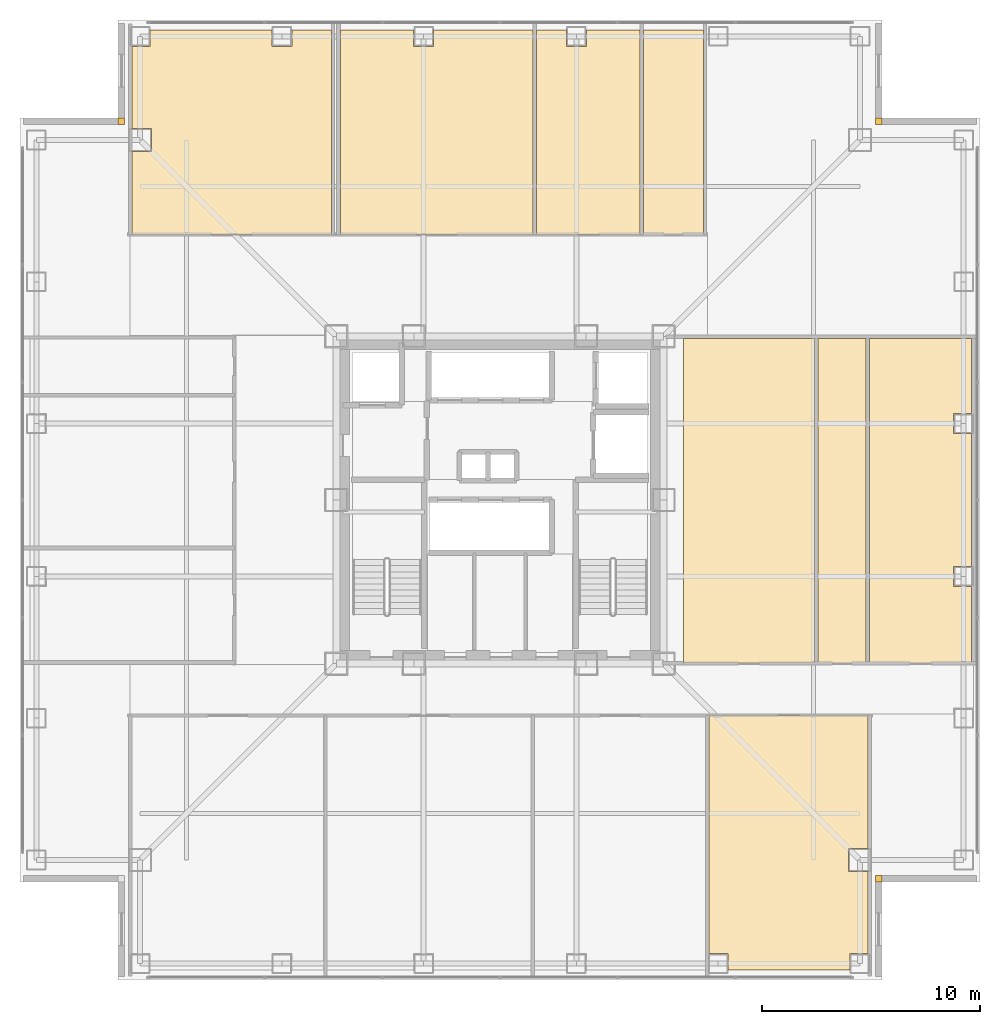
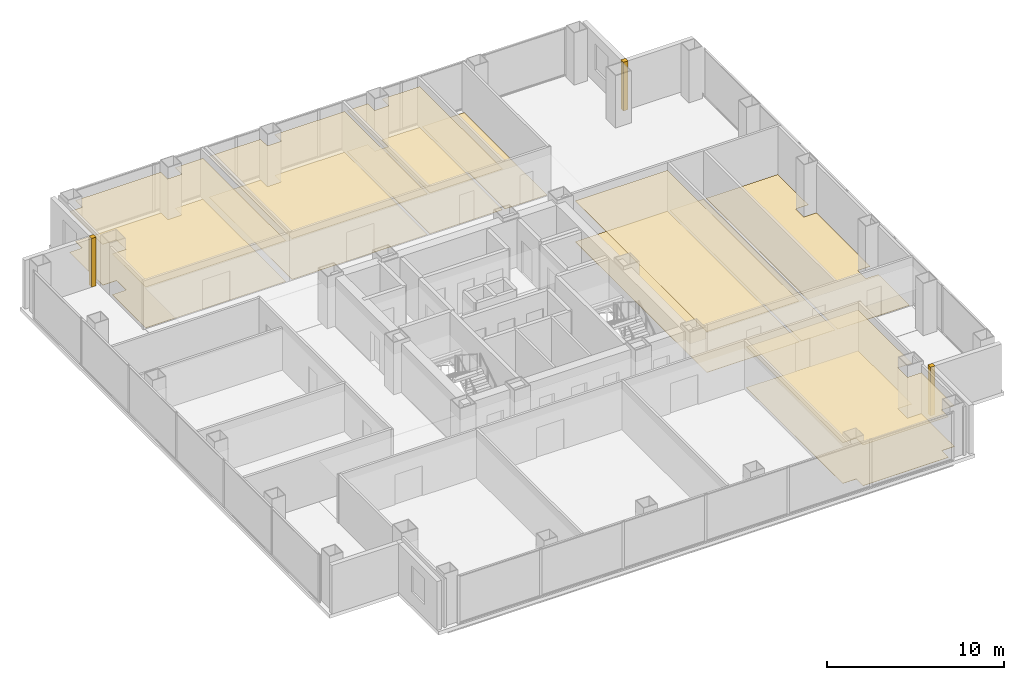
# One storey, part 17 of 17: 16 coverings.
"""IFC4 building model written with IfcOpenShell, lengths in metres."""

from ifc_helpers import new_model, si_unit, direction, frame, origin, place, context, subcontext, project, spatial, polyline, outline, extrude, material, layer, layer_set, type_object, element, save


model = new_model("IFC4")

# Units and contexts
model_context = context("Model", 3, precision=1e-05, world=origin(), true_north=direction((0.0, 1.0)))
body_context = subcontext(model_context, "Body", "Model", "MODEL_VIEW")
ifc_project = project(units=[si_unit("LENGTHUNIT", "METRE"), si_unit("AREAUNIT", "SQUARE_METRE"), si_unit("VOLUMEUNIT", "CUBIC_METRE"), si_unit("PLANEANGLEUNIT", "RADIAN"), si_unit("MASSUNIT", "GRAM", prefix="KILO")], contexts=[model_context])

# Site, building, storey
site_placement = place(None, origin())
site = spatial("IfcSite", under=ifc_project, at=site_placement, CompositionType="ELEMENT")
building_placement = place(site_placement, origin())
building = spatial("IfcBuilding", under=site, at=building_placement, Name="Trevonay Congress Spire", CompositionType="ELEMENT")
storey_placement = place(building_placement, frame((0.0, 0.0, 130.0)))
storey = spatial("IfcBuildingStorey", under=building, at=storey_placement, Name="L33", CompositionType="ELEMENT", Elevation=130.0)

# Coverings
ifc_material_1 = material(Name="Acoustic Mineral Fibre Board", Category="gypsum")
ifc_layer_1 = layer(ifc_material_1, 0.02490234375, Name="Acoustic Mineral Fibre Board")
ifc_layer_set_1 = layer_set([ifc_layer_1], Name="Acoustic Mineral Fibre Board")
covering_type_1 = type_object("IfcCoveringType", Name="COV-CEIL-ACOUSTIC", PredefinedType="CEILING", material=ifc_layer_set_1)
covering_1_placement = place(storey_placement, frame((0.0, 0.0, 2.81005859375)))
element("IfcCovering", 1, at=covering_1_placement, inside=storey, type_object=covering_type_1, Name="L33 Library Catalogue Office acoustic suspended ceiling", PredefinedType="CEILING", context=body_context, shape_type="SweptSolid", body=[
    extrude(outline(polyline([(10.4599609375, -21.550048828125), (10.4599609375, -20.7900390625), (9.580078125, -20.7900390625), (9.580078125, -9.8798828125), (16.8701171875, -9.8798828125), (16.8701171875, -15.965087890625), (15.965087890625, -15.965087890625), (15.965087890625, -17.034912109375), (16.8701171875, -17.034912109375), (16.8701171875, -20.7900390625), (16.0400390625, -20.7900390625), (16.0400390625, -21.550048828125), (10.4599609375, -21.550048828125)])), origin(), (0.0, 0.0, 1.0), 0.02490234375),
])
covering_2_placement = place(storey_placement, frame((0.0, 0.0, 2.81005859375)))
element("IfcCovering", 2, at=covering_2_placement, inside=storey, type_object=covering_type_1, Name="L33 Digital Media Study Lounge acoustic suspended ceiling", PredefinedType="CEILING", context=body_context, shape_type="SweptSolid", body=[
    extrude(outline(polyline([(-7.72998046875, 21.550048828125), (-7.72998046875, 12.179931640625), (-16.8701171875, 12.179931640625), (-16.8701171875, 15.965087890625), (-15.965087890625, 15.965087890625), (-15.965087890625, 17.034912109375), (-16.8701171875, 17.034912109375), (-16.8701171875, 20.7900390625), (-16.0400390625, 20.7900390625), (-16.0400390625, 21.550048828125), (-10.4599609375, 21.550048828125), (-10.4599609375, 20.7900390625), (-9.5400390625, 20.7900390625), (-9.5400390625, 21.550048828125), (-7.72998046875, 21.550048828125)])), origin(), (0.0, 0.0, 1.0), 0.02490234375),
])
covering_3_placement = place(storey_placement, frame((0.0, 0.0, 2.81005859375)))
element("IfcCovering", 3, at=covering_3_placement, inside=storey, type_object=covering_type_1, Name="L33 Archive Reading Salon acoustic suspended ceiling", PredefinedType="CEILING", context=body_context, shape_type="SweptSolid", body=[
    extrude(outline(polyline([(1.52001953125, 21.550048828125), (1.52001953125, 12.179931640625), (-7.320068359375, 12.179931640625), (-7.320068359375, 21.550048828125), (-3.9599609375, 21.550048828125), (-3.9599609375, 20.7900390625), (-3.0400390625, 20.7900390625), (-3.0400390625, 21.550048828125), (1.52001953125, 21.550048828125)])), origin(), (0.0, 0.0, 1.0), 0.02490234375),
])
covering_4_placement = place(storey_placement, frame((0.0, 0.0, 2.81005859375)))
element("IfcCovering", 4, at=covering_4_placement, inside=storey, type_object=covering_type_1, Name="L33 Academic Pantry acoustic suspended ceiling", PredefinedType="CEILING", context=body_context, shape_type="SweptSolid", body=[
    extrude(outline(polyline([(6.419921875, 21.550048828125), (6.419921875, 12.179931640625), (1.679931640625, 12.179931640625), (1.679931640625, 21.550048828125), (3.0400390625, 21.550048828125), (3.0400390625, 20.7900390625), (3.9599609375, 20.7900390625), (3.9599609375, 21.550048828125), (6.419921875, 21.550048828125)])), origin(), (0.0, 0.0, 1.0), 0.02490234375),
])
covering_5_placement = place(storey_placement, frame((0.0, 0.0, 2.81005859375)))
element("IfcCovering", 5, at=covering_5_placement, inside=storey, type_object=covering_type_1, Name="L33 Curriculum Office East acoustic suspended ceiling", PredefinedType="CEILING", context=body_context, shape_type="SweptSolid", body=[
    extrude(outline(polyline([(8.39990234375, -7.47998046875), (14.419921875, -7.47998046875), (14.419921875, 7.39990234375), (8.39990234375, 7.39990234375), (8.39990234375, -7.47998046875)])), origin(), (0.0, 0.0, 1.0), 0.02490234375),
])
ifc_material_2 = material(Name="Polished Granite Floor Tile", Category="masonry")
ifc_layer_2 = layer(ifc_material_2, 0.02001953125, Name="Polished Granite Floor Tile")
ifc_layer_set_2 = layer_set([ifc_layer_2], Name="Polished Granite Floor Tile")
covering_type_2 = type_object("IfcCoveringType", Name="COV-FLOOR-STONE", PredefinedType="FLOORING", material=ifc_layer_set_2)
covering_6_placement = place(storey_placement, origin())
element("IfcCovering", 6, at=covering_6_placement, inside=storey, type_object=covering_type_2, Name="L33 Academic Pantry floor finish", PredefinedType="FLOORING", context=body_context, shape_type="SweptSolid", body=[
    extrude(outline(polyline([(6.419921875, 21.550048828125), (6.419921875, 12.179931640625), (1.679931640625, 12.179931640625), (1.679931640625, 21.550048828125), (3.0400390625, 21.550048828125), (3.0400390625, 20.7900390625), (3.9599609375, 20.7900390625), (3.9599609375, 21.550048828125), (6.419921875, 21.550048828125)])), origin(), (0.0, 0.0, 1.0), 0.02001953125),
])
covering_7_placement = place(storey_placement, origin())
element("IfcCovering", 7, at=covering_7_placement, inside=storey, type_object=covering_type_2, Name="L33 Female Restroom WC floor finish", PredefinedType="FLOORING", context=body_context, shape_type="SweptSolid", body=[
    extrude(outline(polyline([(6.580078125, 12.179931640625), (9.320068359375, 12.179931640625), (9.320068359375, 21.550048828125), (6.580078125, 21.550048828125), (6.580078125, 12.179931640625)])), origin(), (0.0, 0.0, 1.0), 0.02001953125),
])
covering_8_placement = place(storey_placement, origin())
element("IfcCovering", 8, at=covering_8_placement, inside=storey, type_object=covering_type_2, Name="L33 Male Restroom WC floor finish", PredefinedType="FLOORING", context=body_context, shape_type="SweptSolid", body=[
    extrude(outline(polyline([(14.580078125, -7.47998046875), (16.77001953125, -7.47998046875), (16.77001953125, 7.39990234375), (14.580078125, 7.39990234375), (14.580078125, -7.47998046875)])), origin(), (0.0, 0.0, 1.0), 0.02001953125),
])
covering_9_placement = place(storey_placement, origin())
element("IfcCovering", 9, at=covering_9_placement, inside=storey, type_object=covering_type_2, Name="L33 Floor Supplies and Copy Room floor finish", PredefinedType="FLOORING", context=body_context, shape_type="SweptSolid", body=[
    extrude(outline(polyline([(21.6201171875, -7.47998046875), (16.929931640625, -7.47998046875), (16.929931640625, 7.39990234375), (21.6201171875, 7.39990234375), (21.6201171875, 3.9599609375), (20.7900390625, 3.9599609375), (20.7900390625, 3.0400390625), (21.6201171875, 3.0400390625), (21.6201171875, -3.0400390625), (20.7900390625, -3.0400390625), (20.7900390625, -3.9599609375), (21.6201171875, -3.9599609375), (21.6201171875, -7.47998046875)])), origin(), (0.0, 0.0, 1.0), 0.02001953125),
])
ifc_material_3 = material(Name="Engineered Oak Flooring", Category="wood")
ifc_layer_3 = layer(ifc_material_3, 0.01806640625, Name="Engineered Oak Flooring")
ifc_layer_set_3 = layer_set([ifc_layer_3], Name="Engineered Oak Flooring")
covering_type_3 = type_object("IfcCoveringType", Name="COV-FLOOR-TIMBER", PredefinedType="FLOORING", material=ifc_layer_set_3)
covering_10_placement = place(storey_placement, origin())
element("IfcCovering", 10, at=covering_10_placement, inside=storey, type_object=covering_type_3, Name="L33 Library Catalogue Office floor finish", PredefinedType="FLOORING", context=body_context, shape_type="SweptSolid", body=[
    extrude(outline(polyline([(10.4599609375, -21.550048828125), (10.4599609375, -20.7900390625), (9.580078125, -20.7900390625), (9.580078125, -9.8798828125), (16.8701171875, -9.8798828125), (16.8701171875, -15.965087890625), (15.965087890625, -15.965087890625), (15.965087890625, -17.034912109375), (16.8701171875, -17.034912109375), (16.8701171875, -20.7900390625), (16.0400390625, -20.7900390625), (16.0400390625, -21.550048828125), (10.4599609375, -21.550048828125)])), origin(), (0.0, 0.0, 1.0), 0.01806640625),
])
covering_11_placement = place(storey_placement, origin())
element("IfcCovering", 11, at=covering_11_placement, inside=storey, type_object=covering_type_3, Name="L33 Digital Media Study Lounge floor finish", PredefinedType="FLOORING", context=body_context, shape_type="SweptSolid", body=[
    extrude(outline(polyline([(-7.72998046875, 21.550048828125), (-7.72998046875, 12.179931640625), (-16.8701171875, 12.179931640625), (-16.8701171875, 15.965087890625), (-15.965087890625, 15.965087890625), (-15.965087890625, 17.034912109375), (-16.8701171875, 17.034912109375), (-16.8701171875, 20.7900390625), (-16.0400390625, 20.7900390625), (-16.0400390625, 21.550048828125), (-10.4599609375, 21.550048828125), (-10.4599609375, 20.7900390625), (-9.5400390625, 20.7900390625), (-9.5400390625, 21.550048828125), (-7.72998046875, 21.550048828125)])), origin(), (0.0, 0.0, 1.0), 0.01806640625),
])
covering_12_placement = place(storey_placement, origin())
element("IfcCovering", 12, at=covering_12_placement, inside=storey, type_object=covering_type_3, Name="L33 Archive Reading Salon floor finish", PredefinedType="FLOORING", context=body_context, shape_type="SweptSolid", body=[
    extrude(outline(polyline([(1.52001953125, 21.550048828125), (1.52001953125, 12.179931640625), (-7.320068359375, 12.179931640625), (-7.320068359375, 21.550048828125), (-3.9599609375, 21.550048828125), (-3.9599609375, 20.7900390625), (-3.0400390625, 20.7900390625), (-3.0400390625, 21.550048828125), (1.52001953125, 21.550048828125)])), origin(), (0.0, 0.0, 1.0), 0.01806640625),
])
covering_13_placement = place(storey_placement, origin())
element("IfcCovering", 13, at=covering_13_placement, inside=storey, type_object=covering_type_3, Name="L33 Curriculum Office East floor finish", PredefinedType="FLOORING", context=body_context, shape_type="SweptSolid", body=[
    extrude(outline(polyline([(8.39990234375, -7.47998046875), (14.419921875, -7.47998046875), (14.419921875, 7.39990234375), (8.39990234375, 7.39990234375), (8.39990234375, -7.47998046875)])), origin(), (0.0, 0.0, 1.0), 0.01806640625),
])
ifc_material_4 = material(Name="Pale Anodised Aluminium EN AW-6063-T6", Category="aluminium")
ifc_layer_4 = layer(ifc_material_4, 0.0400390625, Name="Pale Anodised Aluminium EN AW-6063-T6")
ifc_layer_set_4 = layer_set([ifc_layer_4], Name="Pale Anodised Aluminium EN AW-6063-T6")
covering_type_4 = type_object("IfcCoveringType", Name="COV-SPANDREL-PALE-METAL", PredefinedType="CLADDING", material=ifc_layer_set_4)
covering_14_placement = place(storey_placement, origin())
element("IfcCovering", 14, at=covering_14_placement, inside=storey, type_object=covering_type_4, Name="L33 SE re-entrant notch corner closure trim", PredefinedType="CLADDING", context=body_context, shape_type="SweptSolid", body=[
    extrude(outline(polyline([(17.199951171875, -17.5), (17.5, -17.5), (17.5, -17.199951171875), (17.199951171875, -17.199951171875), (17.199951171875, -17.5)])), origin(), (0.0, 0.0, 1.0), 3.360107421875),
])
covering_15_placement = place(storey_placement, origin())
element("IfcCovering", 15, at=covering_15_placement, inside=storey, type_object=covering_type_4, Name="L33 NE re-entrant notch corner closure trim", PredefinedType="CLADDING", context=body_context, shape_type="SweptSolid", body=[
    extrude(outline(polyline([(17.199951171875, 17.199951171875), (17.5, 17.199951171875), (17.5, 17.5), (17.199951171875, 17.5), (17.199951171875, 17.199951171875)])), origin(), (0.0, 0.0, 1.0), 3.360107421875),
])
covering_16_placement = place(storey_placement, origin())
element("IfcCovering", 16, at=covering_16_placement, inside=storey, type_object=covering_type_4, Name="L33 NW re-entrant notch corner closure trim", PredefinedType="CLADDING", context=body_context, shape_type="SweptSolid", body=[
    extrude(outline(polyline([(-17.5, 17.199951171875), (-17.199951171875, 17.199951171875), (-17.199951171875, 17.5), (-17.5, 17.5), (-17.5, 17.199951171875)])), origin(), (0.0, 0.0, 1.0), 3.360107421875),
])

save(model, "model.ifc")
